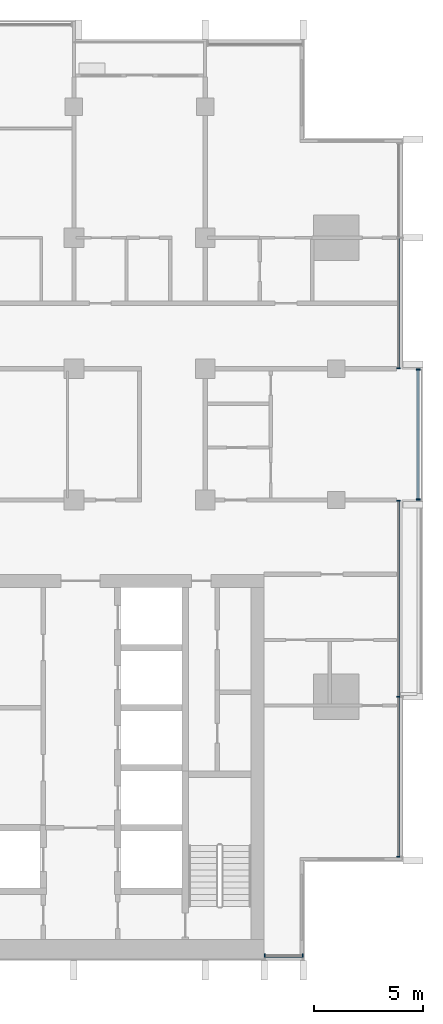
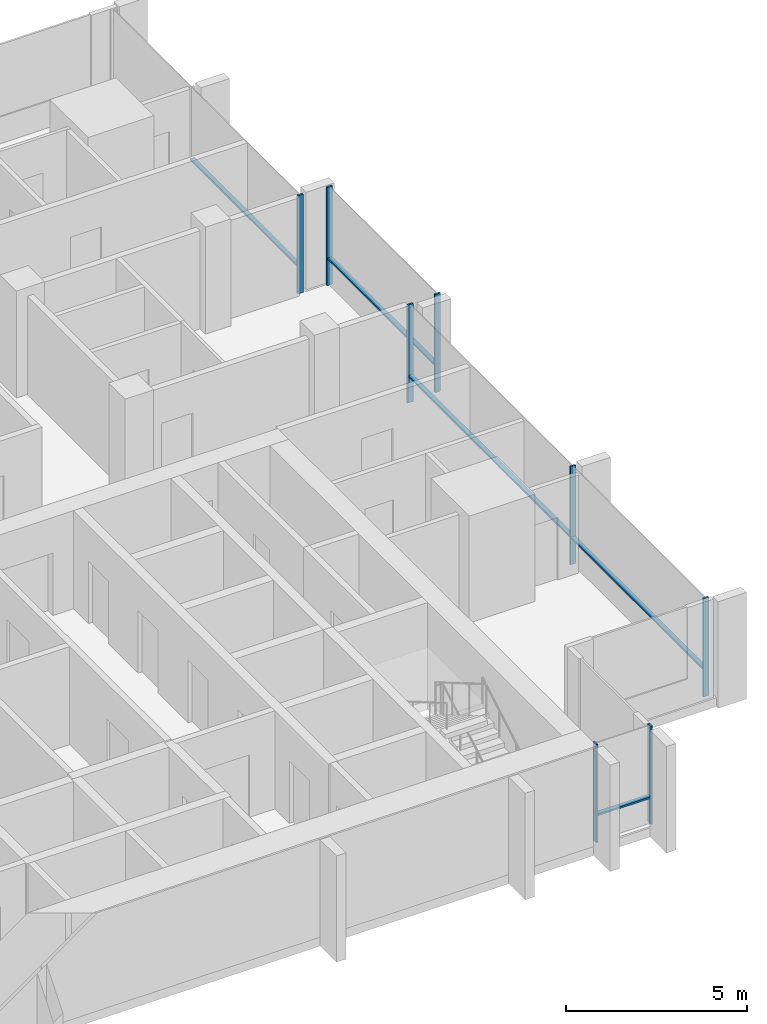
# One storey, part 3 of 16: 13 members, 4 elements without a shape of their own.
"""IFC4 building model written with IfcOpenShell, lengths in metres."""

from ifc_helpers import new_model, si_unit, direction, frame, origin, origin_2d, place, context, subcontext, project, spatial, rectangle, extrude, material, material_profile, profile_set, type_object, element, aggregate, save


model = new_model("IFC4")

# Units and contexts
model_context = context("Model", 3, precision=1e-05, world=origin(), true_north=direction((0.0, 1.0)))
body_context = subcontext(model_context, "Body", "Model", "MODEL_VIEW")
ifc_project = project(units=[si_unit("LENGTHUNIT", "METRE"), si_unit("AREAUNIT", "SQUARE_METRE"), si_unit("VOLUMEUNIT", "CUBIC_METRE"), si_unit("PLANEANGLEUNIT", "RADIAN"), si_unit("MASSUNIT", "GRAM", prefix="KILO")], contexts=[model_context])

# Site, building, storey
site_placement = place(None, origin())
site = spatial("IfcSite", under=ifc_project, at=site_placement, CompositionType="ELEMENT")
building_placement = place(site_placement, origin())
building = spatial("IfcBuilding", under=site, at=building_placement, Name="Finial Court Residences", CompositionType="ELEMENT")
storey_placement = place(building_placement, frame((0.0, 0.0, 241.10009765625)))
storey = spatial("IfcBuildingStorey", under=building, at=storey_placement, Name="L61", CompositionType="ELEMENT", Elevation=241.10009765625)

# Curtain wall, members
ifc_material = material(Name="Bronze anodised aluminium", Category="aluminium")
curtain_wall_type = type_object("IfcCurtainWallType", Name="Unitised curtain wall, upper zones", PredefinedType="NOTDEFINED", material=ifc_material)
curtain_wall_1_placement = place(storey_placement, origin())
curtain_wall_1 = element("IfcCurtainWall", 1, at=curtain_wall_1_placement, inside=storey, type_object=curtain_wall_type, Name="E-L61-CW-E4", PredefinedType="NOTDEFINED")
ifc_material_profile_1 = material_profile(ifc_material, rectangle(XDim=0.175048828125, YDim=0.06005859375, at=origin_2d()), Name="CW2 mullion 60 x 175")
ifc_profile_set_1 = profile_set([ifc_material_profile_1], Name="Bronze anodised aluminium")
member_type_1 = type_object("IfcMemberType", Name="CW2 mullion 60 x 175", PredefinedType="MULLION", material=ifc_profile_set_1)
member_1_placement = place(storey_placement, frame((19.35009765625, -20.820068359375, 0.0), z_axis=(0.0, 0.0, 1.0), x_axis=(-1.0, 0.0, 0.0)))
member_1 = element("IfcMember", 2, at=member_1_placement, type_object=member_type_1, Name="CW2 mullion 1", PredefinedType="MULLION", context=body_context, shape_type="SweptSolid", body=[
    extrude(rectangle(XDim=0.175048828125, YDim=0.06005859375, at=origin_2d()), origin(), (0.0, 0.0, 1.0), 3.2998046875),
])
member_2_placement = place(storey_placement, frame((19.35009765625, -13.5, 0.0), z_axis=(0.0, 0.0, 1.0), x_axis=(-1.0, 0.0, 0.0)))
member_2 = element("IfcMember", 3, at=member_2_placement, type_object=member_type_1, Name="CW2 mullion 2", PredefinedType="MULLION", context=body_context, shape_type="SweptSolid", body=[
    extrude(rectangle(XDim=0.175048828125, YDim=0.06005859375, at=origin_2d()), origin(), (0.0, 0.0, 1.0), 3.2998046875),
])
member_3_placement = place(storey_placement, frame((19.35009765625, -4.530029296875, 0.0), z_axis=(0.0, 0.0, 1.0), x_axis=(-1.0, 0.0, 0.0)))
member_3 = element("IfcMember", 4, at=member_3_placement, type_object=member_type_1, Name="CW2 mullion 3", PredefinedType="MULLION", context=body_context, shape_type="SweptSolid", body=[
    extrude(rectangle(XDim=0.175048828125, YDim=0.06005859375, at=origin_2d()), origin(), (0.0, 0.0, 1.0), 3.2998046875),
])

curtain_wall_2_placement = place(storey_placement, origin())
curtain_wall_2 = element("IfcCurtainWall", 5, at=curtain_wall_2_placement, inside=storey, type_object=curtain_wall_type, Name="E-L61-CW-E5", PredefinedType="NOTDEFINED")
member_4_placement = place(storey_placement, frame((20.25, -4.469970703125, 0.0), z_axis=(0.0, 0.0, 1.0), x_axis=(-1.0, 0.0, 0.0)))
member_4 = element("IfcMember", 6, at=member_4_placement, type_object=member_type_1, Name="CW2 mullion 1", PredefinedType="MULLION", context=body_context, shape_type="SweptSolid", body=[
    extrude(rectangle(XDim=0.175048828125, YDim=0.06005859375, at=origin_2d()), origin(), (0.0, 0.0, 1.0), 3.2998046875),
])
member_5_placement = place(storey_placement, frame((20.25, 1.469970703125, 0.0), z_axis=(0.0, 0.0, 1.0), x_axis=(-1.0, 0.0, 0.0)))
member_5 = element("IfcMember", 7, at=member_5_placement, type_object=member_type_1, Name="CW2 mullion 2", PredefinedType="MULLION", context=body_context, shape_type="SweptSolid", body=[
    extrude(rectangle(XDim=0.175048828125, YDim=0.06005859375, at=origin_2d()), origin(), (0.0, 0.0, 1.0), 3.2998046875),
])

# Curtain wall, member
curtain_wall_3_placement = place(storey_placement, origin())
curtain_wall_3 = element("IfcCurtainWall", 8, at=curtain_wall_3_placement, inside=storey, type_object=curtain_wall_type, Name="E-L61-CW-E6", PredefinedType="NOTDEFINED")
member_6_placement = place(storey_placement, frame((19.35009765625, 1.530029296875, 0.0), z_axis=(0.0, 0.0, 1.0), x_axis=(-1.0, 0.0, 0.0)))
member_6 = element("IfcMember", 9, at=member_6_placement, type_object=member_type_1, Name="CW2 mullion 1", PredefinedType="MULLION", context=body_context, shape_type="SweptSolid", body=[
    extrude(rectangle(XDim=0.175048828125, YDim=0.06005859375, at=origin_2d()), origin(), (0.0, 0.0, 1.0), 3.2998046875),
])

# Curtain wall, members
curtain_wall_4_placement = place(storey_placement, origin())
curtain_wall_4 = element("IfcCurtainWall", 10, at=curtain_wall_4_placement, inside=storey, type_object=curtain_wall_type, Name="E-L61-CW-S8", PredefinedType="NOTDEFINED")
member_7_placement = place(storey_placement, frame((13.22998046875, -25.35009765625, 0.0), z_axis=(0.0, 0.0, 1.0), x_axis=(0.0, 1.0, 0.0)))
member_7 = element("IfcMember", 11, at=member_7_placement, type_object=member_type_1, Name="CW2 mullion 1", PredefinedType="MULLION", context=body_context, shape_type="SweptSolid", body=[
    extrude(rectangle(XDim=0.175048828125, YDim=0.06005859375, at=origin_2d()), origin(), (0.0, 0.0, 1.0), 3.2998046875),
])
member_8_placement = place(storey_placement, frame((14.969970703125, -25.35009765625, 0.0), z_axis=(0.0, 0.0, 1.0), x_axis=(0.0, 1.0, 0.0)))
member_8 = element("IfcMember", 12, at=member_8_placement, type_object=member_type_1, Name="CW2 mullion 2", PredefinedType="MULLION", context=body_context, shape_type="SweptSolid", body=[
    extrude(rectangle(XDim=0.175048828125, YDim=0.06005859375, at=origin_2d()), origin(), (0.0, 0.0, 1.0), 3.2998046875),
])

# Member
ifc_material_profile_2 = material_profile(ifc_material, rectangle(XDim=0.139892578125, YDim=0.06005859375, at=origin_2d()), Name="CW2 transom 60 x 140")
ifc_profile_set_2 = profile_set([ifc_material_profile_2], Name="Bronze anodised aluminium")
member_type_2 = type_object("IfcMemberType", Name="CW2 transom 60 x 140", PredefinedType="USERDEFINED", material=ifc_profile_set_2)
member_9_placement = place(storey_placement, frame((19.35009765625, -20.7900390625, 0.89990234375), z_axis=(0.0, 1.0, 0.0), x_axis=(-1.0, 0.0, 0.0)))
member_9 = element("IfcMember", 13, at=member_9_placement, type_object=member_type_2, Name="CW2 transom 1.1", ObjectType="TRANSOM", PredefinedType="USERDEFINED", context=body_context, shape_type="SweptSolid", body=[
    extrude(rectangle(XDim=0.139892578125, YDim=0.06005859375, at=origin_2d()), origin(), (0.0, 0.0, 1.0), 7.260009765625),
])

member_10_placement = place(storey_placement, frame((19.35009765625, -13.469970703125, 0.89990234375), z_axis=(0.0, 1.0, 0.0), x_axis=(-1.0, 0.0, 0.0)))
member_10 = element("IfcMember", 14, at=member_10_placement, type_object=member_type_2, Name="CW2 transom 2.1", ObjectType="TRANSOM", PredefinedType="USERDEFINED", context=body_context, shape_type="SweptSolid", body=[
    extrude(rectangle(XDim=0.139892578125, YDim=0.06005859375, at=origin_2d()), origin(), (0.0, 0.0, 1.0), 8.909912109375),
])

aggregate(curtain_wall_1, [member_1, member_2, member_3, member_9, member_10])

member_11_placement = place(storey_placement, frame((20.25, -4.43994140625, 0.89990234375), z_axis=(0.0, 1.0, 0.0), x_axis=(-1.0, 0.0, 0.0)))
member_11 = element("IfcMember", 15, at=member_11_placement, type_object=member_type_2, Name="CW2 transom 1.1", ObjectType="TRANSOM", PredefinedType="USERDEFINED", context=body_context, shape_type="SweptSolid", body=[
    extrude(rectangle(XDim=0.139892578125, YDim=0.06005859375, at=origin_2d()), origin(), (0.0, 0.0, 1.0), 5.8798828125),
])

aggregate(curtain_wall_2, [member_4, member_5, member_11])

member_12_placement = place(storey_placement, frame((19.35009765625, 1.56005859375, 0.89990234375), z_axis=(0.0, 1.0, 0.0), x_axis=(-1.0, 0.0, 0.0)))
member_12 = element("IfcMember", 16, at=member_12_placement, type_object=member_type_2, Name="CW2 transom 1.1", ObjectType="TRANSOM", PredefinedType="USERDEFINED", context=body_context, shape_type="SweptSolid", body=[
    extrude(rectangle(XDim=0.139892578125, YDim=0.06005859375, at=origin_2d()), origin(), (0.0, 0.0, 1.0), 5.909912109375),
])

aggregate(curtain_wall_3, [member_6, member_12])

member_13_placement = place(storey_placement, frame((13.260009765625, -25.35009765625, 0.89990234375), z_axis=(1.0, 0.0, 0.0), x_axis=(0.0, 1.0, 0.0)))
member_13 = element("IfcMember", 17, at=member_13_placement, type_object=member_type_2, Name="CW2 transom 1.1", ObjectType="TRANSOM", PredefinedType="USERDEFINED", context=body_context, shape_type="SweptSolid", body=[
    extrude(rectangle(XDim=0.139892578125, YDim=0.06005859375, at=origin_2d()), origin(), (0.0, 0.0, 1.0), 1.679931640625),
])

aggregate(curtain_wall_4, [member_7, member_8, member_13])

save(model, "model.ifc")
